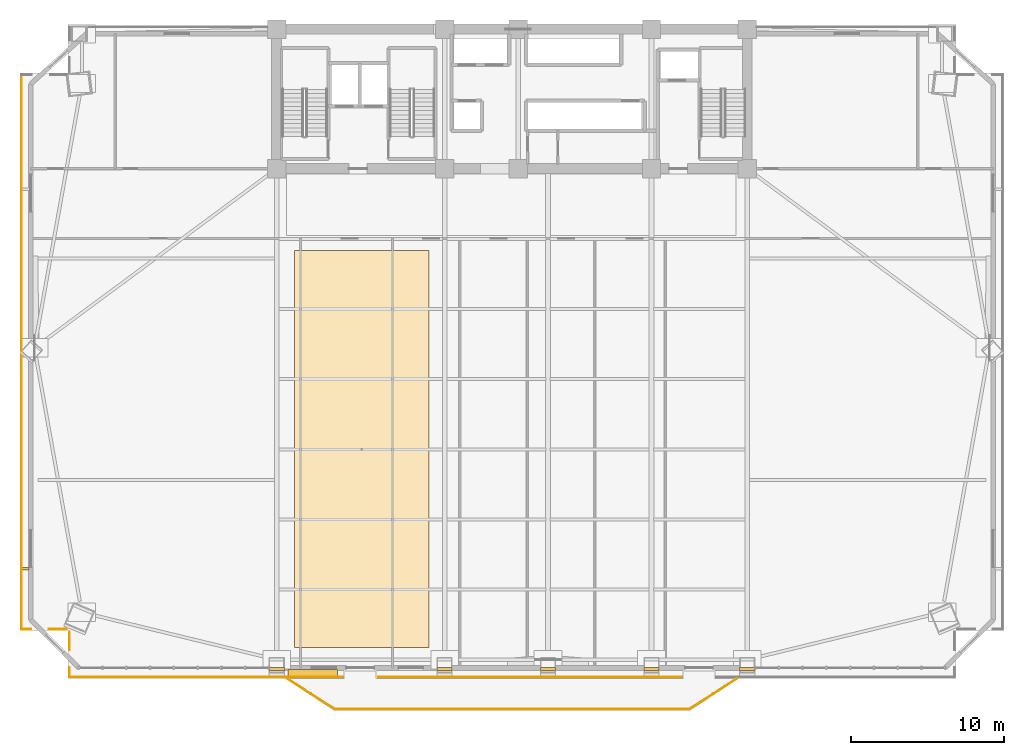
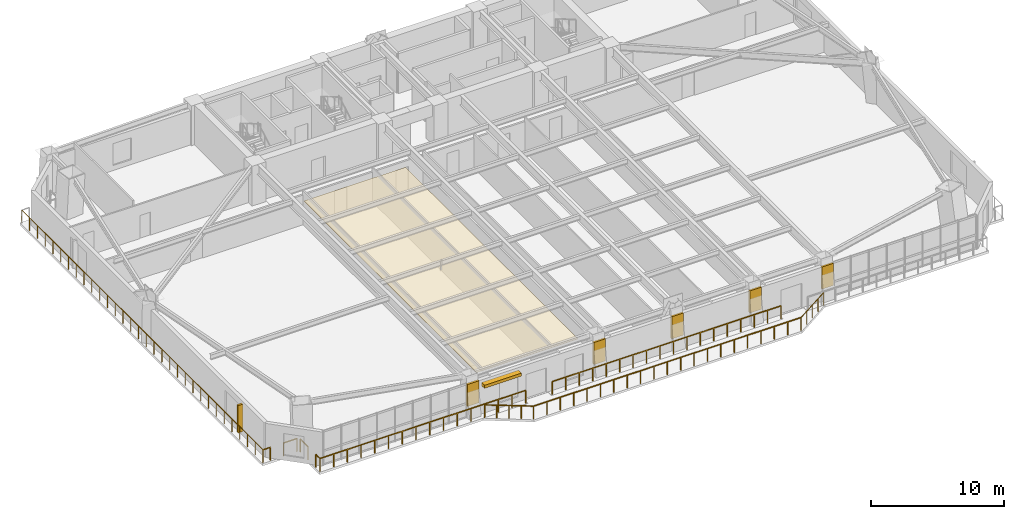
# One storey, part 14 of 18: 10 railings, 6 coverings, 2 shading devices.
"""IFC4 building model written with IfcOpenShell, lengths in metres."""

import ifcopenshell
import ifcopenshell.guid

model = None  # the IFC model being written
_history = None  # IfcOwnerHistory: only IFC2X3 demands one
_inside = {}  # id of a spatial element -> (the spatial element, [elements in it])
_under = {}  # id of a project, library or spatial element -> (it, [spatial elements below it])
_declared = {}  # id of a project -> (the project, [libraries it declares])
_typed = {}  # id of a type object -> (the type object, [elements of that type])
_made_of = {}  # id of a material, layer set ... -> (it, [elements and type objects made of it])


def new_model(schema):
    """Start an empty IFC model of exactly this schema.

    Asked for "IFC4X3", IfcOpenShell would pick the latest addendum, in which some entities
    have other attributes; the version numbers below select the first issue.
    IFC2X3 requires an IfcOwnerHistory on every rooted entity: one is made here for all.
    """
    global model, _history
    if schema == "IFC4X3":
        model = ifcopenshell.file(schema_version=(4, 3, 0, 0))
    else:
        model = ifcopenshell.file(schema=schema)
    _inside.clear()
    _under.clear()
    _declared.clear()
    _typed.clear()
    _made_of.clear()
    _history = None
    if model.schema == "IFC2X3":
        org = make("IfcOrganization", Name="unknown")
        user = make(
            "IfcPersonAndOrganization",
            ThePerson=make("IfcPerson", FamilyName="unknown"),
            TheOrganization=org,
        )
        app = make(
            "IfcApplication",
            ApplicationDeveloper=org,
            Version="unknown",
            ApplicationFullName="unknown",
            ApplicationIdentifier="unknown",
        )
        _history = make(
            "IfcOwnerHistory",
            OwningUser=user,
            OwningApplication=app,
            ChangeAction="ADDED",
            CreationDate=0,
        )
    return model


def make(cls, **values):
    """One entity of the class cls with the attributes given. An attribute that is None is left unset."""
    return model.create_entity(
        cls, **{name: value for name, value in values.items() if value is not None}
    )


def rooted(cls, **values):
    """An entity with a GlobalId (a new one), such as an element, a storey or a relation."""
    return make(cls, GlobalId=ifcopenshell.guid.new(), OwnerHistory=_history, **values)


def si_unit(unit_type, name, prefix=None):
    """IfcSIUnit, for example si_unit("LENGTHUNIT", "METRE", prefix="MILLI")."""
    return make("IfcSIUnit", UnitType=unit_type, Prefix=prefix, Name=name)


def assignment(units):
    """IfcUnitAssignment: the units of a project."""
    return None if units is None else make("IfcUnitAssignment", Units=units)


def point(xyz):
    """IfcCartesianPoint."""
    return None if xyz is None else make("IfcCartesianPoint", Coordinates=xyz)


def direction(xyz):
    """IfcDirection."""
    return None if xyz is None else make("IfcDirection", DirectionRatios=xyz)


def frame(location, z_axis=None, x_axis=None):
    """IfcAxis2Placement3D, a coordinate frame: its origin and axes. An axis left out is left unset."""
    return make(
        "IfcAxis2Placement3D",
        Location=point(location),
        Axis=direction(z_axis),
        RefDirection=direction(x_axis),
    )


def frame_2d(location, x_axis=None):
    """IfcAxis2Placement2D, a coordinate frame in the plane: its origin and x axis."""
    return make(
        "IfcAxis2Placement2D", Location=point(location), RefDirection=direction(x_axis)
    )


def origin():
    """The frame at (0, 0, 0) with its axes left unset."""
    return frame((0.0, 0.0, 0.0))


def origin_2d():
    """The frame at (0, 0) in the plane with its x axis left unset."""
    return frame_2d((0.0, 0.0))


def place(relative_to, where):
    """IfcLocalPlacement: puts the frame where relative to a parent placement (None: the world)."""
    return make(
        "IfcLocalPlacement", PlacementRelTo=relative_to, RelativePlacement=where
    )


def context(
    kind, dimensions, precision=None, world=None, true_north=None, identifier=None
):
    """IfcGeometricRepresentationContext, for example the 3D "Model" context."""
    return make(
        "IfcGeometricRepresentationContext",
        ContextIdentifier=identifier,
        ContextType=kind,
        CoordinateSpaceDimension=dimensions,
        Precision=precision,
        WorldCoordinateSystem=world,
        TrueNorth=true_north,
    )


def subcontext(parent, identifier, kind, view, scale=None):
    """IfcGeometricRepresentationSubContext, for example "Body" below "Model"."""
    return make(
        "IfcGeometricRepresentationSubContext",
        ContextIdentifier=identifier,
        ContextType=kind,
        ParentContext=parent,
        TargetScale=scale,
        TargetView=view,
    )


def project(units=None, contexts=None):
    """IfcProject with its units and contexts."""
    return rooted(
        "IfcProject",
        Name="project",
        RepresentationContexts=contexts,
        UnitsInContext=assignment(units),
    )


def spatial(cls, under=None, at=None, **own):
    """A site, building, storey or space (cls), placed at a placement, below another one or the project."""
    s = rooted(cls, ObjectPlacement=at, **own)
    if under is not None:
        _under.setdefault(under.id(), (under, []))[1].append(s)
    return s


def polyline(points):
    """IfcPolyline through the points."""
    return make("IfcPolyline", Points=[point(p) for p in points])


def profile(cls, at=None, kind="AREA", **sizes):
    """A parametric profile (cls). Its sizes go by their IFC names, for example OverallWidth=200.0."""
    return make(cls, ProfileType=kind, Position=at, **sizes)


def rectangle(**sizes):
    """IfcRectangleProfileDef."""
    return profile("IfcRectangleProfileDef", **sizes)


def outline(outer, holes=None, kind="AREA"):
    """IfcArbitraryClosedProfileDef: a profile drawn as a closed curve; with holes, ...WithVoids."""
    if holes is None:
        return make("IfcArbitraryClosedProfileDef", ProfileType=kind, OuterCurve=outer)
    return make(
        "IfcArbitraryProfileDefWithVoids",
        ProfileType=kind,
        OuterCurve=outer,
        InnerCurves=holes,
    )


def extrude(swept, where, along, depth):
    """IfcExtrudedAreaSolid: the profile swept, set in the frame where, extruded along a direction by depth."""
    return make(
        "IfcExtrudedAreaSolid",
        SweptArea=swept,
        Position=where,
        ExtrudedDirection=direction(along),
        Depth=depth,
    )


def shape(context_of_items, identifier, shape_type, items):
    """IfcShapeRepresentation: the items that make up one representation, for example the "Body"."""
    return make(
        "IfcShapeRepresentation",
        ContextOfItems=context_of_items,
        RepresentationIdentifier=identifier,
        RepresentationType=shape_type,
        Items=items,
    )


def source(mapping_origin, context_of_items, identifier, shape_type, items):
    """IfcRepresentationMap: a shape defined once, which mapped items show again and again."""
    return make(
        "IfcRepresentationMap",
        MappingOrigin=mapping_origin,
        MappedRepresentation=shape(context_of_items, identifier, shape_type, items),
    )


def transform(
    local_origin,
    x_axis=None,
    y_axis=None,
    z_axis=None,
    scale=None,
    scale2=None,
    scale3=None,
    uniform=True,
):
    """IfcCartesianTransformationOperator3D, or its non-uniform kind. x_axis, y_axis, z_axis: its Axis1, 2, 3."""
    if uniform:
        return make(
            "IfcCartesianTransformationOperator3D",
            Axis1=direction(x_axis),
            Axis2=direction(y_axis),
            LocalOrigin=point(local_origin),
            Scale=scale,
            Axis3=direction(z_axis),
        )
    return make(
        "IfcCartesianTransformationOperator3DnonUniform",
        Axis1=direction(x_axis),
        Axis2=direction(y_axis),
        LocalOrigin=point(local_origin),
        Scale=scale,
        Axis3=direction(z_axis),
        Scale2=scale2,
        Scale3=scale3,
    )


def mapped(mapping_source, mapping_target):
    """IfcMappedItem: shows the shape of a source again, moved by a transform."""
    return make(
        "IfcMappedItem", MappingSource=mapping_source, MappingTarget=mapping_target
    )


def material(Name=None, Category=None):
    """IfcMaterial."""
    return make("IfcMaterial", Name=Name, Category=Category)


def layer(
    of_material, thickness, ventilated=None, Name=None, Category=None, Priority=None
):
    """IfcMaterialLayer: one layer of a wall or slab, of a material (None: an air gap)."""
    return make(
        "IfcMaterialLayer",
        Material=of_material,
        LayerThickness=thickness,
        IsVentilated=ventilated,
        Name=Name,
        Category=Category,
        Priority=Priority,
    )


def layer_set(layers, Name=None):
    """IfcMaterialLayerSet."""
    return make("IfcMaterialLayerSet", MaterialLayers=layers, LayerSetName=Name)


def made_of(thing, what):
    """Note that an element or type object is made of a material, layer set ...; save() writes the relation."""
    if what is not None:
        _made_of.setdefault(what.id(), (what, []))[1].append(thing)
    return thing


def type_object(cls, material=None, **own):
    """A type object (cls), such as IfcWallType, which elements share."""
    return made_of(rooted(cls, **own), material)


def element(
    cls,
    number,
    at=None,
    inside=None,
    cuts=None,
    type_object=None,
    material=None,
    context=None,
    identifier="Body",
    shape_type=None,
    held_by="IfcProductDefinitionShape",
    body=None,
    shapes=None,
    **own,
):
    """One element of the class cls, such as IfcWall. Its Tag is "e" and its number.

    at: its placement. inside: the storey or other place that contains it. cuts: it is an
    opening in that element (IfcRelVoidsElement). A single representation is given by context,
    identifier, shape_type and body (its items); several are given by shapes. held_by: the class
    of the entity that holds the representations. save() writes the other relations.
    """
    e = rooted(cls, Tag="e%d" % number, ObjectPlacement=at, **own)
    if body is not None:
        shapes = [shape(context, identifier, shape_type, body)]
    if shapes is not None:
        e.Representation = make(held_by, Representations=shapes)
    if inside is not None:
        _inside.setdefault(inside.id(), (inside, []))[1].append(e)
    if cuts is not None:
        rooted(
            "IfcRelVoidsElement", RelatingBuildingElement=cuts, RelatedOpeningElement=e
        )
    if type_object is not None:
        _typed.setdefault(type_object.id(), (type_object, []))[1].append(e)
    return made_of(e, material)


def aggregate(whole, parts):
    """IfcRelAggregates: a whole, such as a stair, and the parts it consists of."""
    return rooted("IfcRelAggregates", RelatingObject=whole, RelatedObjects=parts)


def save(model, path):
    """Write the relations noted so far, then the file.

    IfcRelAggregates (storeys below a building ...), IfcRelContainedInSpatialStructure (elements
    in a storey), IfcRelDefinesByType, IfcRelAssociatesMaterial and IfcRelDeclares: one each for
    every whole, place, type object, material and project.
    """
    for whole, parts in _under.values():
        aggregate(whole, parts)
    for where, things in _inside.values():
        rooted(
            "IfcRelContainedInSpatialStructure",
            RelatedElements=things,
            RelatingStructure=where,
        )
    for kind, things in _typed.values():
        rooted("IfcRelDefinesByType", RelatedObjects=things, RelatingType=kind)
    for what, things in _made_of.values():
        rooted("IfcRelAssociatesMaterial", RelatedObjects=things, RelatingMaterial=what)
    for by, libraries in _declared.values():
        rooted("IfcRelDeclares", RelatingContext=by, RelatedDefinitions=libraries)
    model.write(path)


model = new_model("IFC4")

# Units and contexts
model_context = context("Model", 3, precision=1e-05, world=origin(), true_north=direction((0.0, 1.0)))
body_context = subcontext(model_context, "Body", "Model", "MODEL_VIEW")
ifc_project = project(units=[si_unit("LENGTHUNIT", "METRE"), si_unit("AREAUNIT", "SQUARE_METRE"), si_unit("VOLUMEUNIT", "CUBIC_METRE"), si_unit("PLANEANGLEUNIT", "RADIAN"), si_unit("MASSUNIT", "GRAM", prefix="KILO")], contexts=[model_context])

# Site, building, storey
site_placement = place(None, origin())
site = spatial("IfcSite", under=ifc_project, at=site_placement, CompositionType="ELEMENT")
building_placement = place(site_placement, origin())
building = spatial("IfcBuilding", under=site, at=building_placement, Name="Giltprow Tower", CompositionType="ELEMENT")
storey_placement = place(building_placement, frame((0.0, 0.0, 68.89990234375)))
storey = spatial("IfcBuildingStorey", under=building, at=storey_placement, Name="L17", CompositionType="ELEMENT", Elevation=68.89990234375)

# Coverings
ifc_material_1 = material(Name="Acoustic mineral fibre", Category="gypsum")
ifc_layer_1 = layer(ifc_material_1, 0.030029296875, Name="Acoustic mineral fibre")
ifc_layer_set_1 = layer_set([ifc_layer_1], Name="Acoustic mineral fibre")
covering_type_1 = type_object("IfcCoveringType", Name="COV-CLG-ACOUSTIC", PredefinedType="CEILING", material=ifc_layer_set_1)
covering_1_placement = place(storey_placement, frame((0.0, 0.0, 2.72021484375)))
element("IfcCovering", 1, at=covering_1_placement, inside=storey, type_object=covering_type_1, Name="L17 Office Acoustic Ceiling", PredefinedType="CEILING", context=body_context, shape_type="SweptSolid", body=[
    extrude(outline(polyline([(21.0, 6.208984375), (29.800048828125, 6.208984375), (29.800048828125, 32.10009765625), (21.0, 32.10009765625), (21.0, 6.208984375)])), origin(), (0.0, 0.0, 1.0), 0.02978515625),
])
ifc_material_2 = material(Name="Anodized bronze", Category="metal")
ifc_layer_2 = layer(ifc_material_2, 0.0400390625, Name="Anodized bronze")
ifc_layer_set_2 = layer_set([ifc_layer_2], Name="Anodized bronze")
covering_type_2 = type_object("IfcCoveringType", Name="COV-SOFFIT-BRONZE", PredefinedType="CLADDING", material=ifc_layer_set_2)
covering_2_placement = place(storey_placement, frame((0.0, 0.0, 1.10009765625)))
element("IfcCovering", 2, at=covering_2_placement, inside=storey, type_object=covering_type_2, Name="L17 Setback Pier Closure Cladding S-1", PredefinedType="CLADDING", context=body_context, shape_type="SweptSolid", body=[
    extrude(outline(polyline([(19.35009765625, 4.721923828125), (20.35009765625, 4.721923828125), (20.35009765625, 4.902099609375), (19.35009765625, 4.902099609375), (19.35009765625, 4.721923828125)])), origin(), (0.0, 0.0, 1.0), 2.02001953125),
])
covering_3_placement = place(storey_placement, frame((0.0, 0.0, 1.10009765625)))
element("IfcCovering", 3, at=covering_3_placement, inside=storey, type_object=covering_type_2, Name="L17 Setback Pier Closure Cladding S-2", PredefinedType="CLADDING", context=body_context, shape_type="SweptSolid", body=[
    extrude(outline(polyline([(30.300048828125, 4.721923828125), (31.300048828125, 4.721923828125), (31.300048828125, 4.902099609375), (30.300048828125, 4.902099609375), (30.300048828125, 4.721923828125)])), origin(), (0.0, 0.0, 1.0), 2.02001953125),
])
covering_4_placement = place(storey_placement, frame((0.0, 0.0, 1.10009765625)))
element("IfcCovering", 4, at=covering_4_placement, inside=storey, type_object=covering_type_2, Name="L17 Setback Pier Closure Cladding S-3", PredefinedType="CLADDING", context=body_context, shape_type="SweptSolid", body=[
    extrude(outline(polyline([(37.050048828125, 4.721923828125), (38.050048828125, 4.721923828125), (38.050048828125, 4.902099609375), (37.050048828125, 4.902099609375), (37.050048828125, 4.721923828125)])), origin(), (0.0, 0.0, 1.0), 2.02001953125),
])
covering_5_placement = place(storey_placement, frame((0.0, 0.0, 1.10009765625)))
element("IfcCovering", 5, at=covering_5_placement, inside=storey, type_object=covering_type_2, Name="L17 Setback Pier Closure Cladding S-4", PredefinedType="CLADDING", context=body_context, shape_type="SweptSolid", body=[
    extrude(outline(polyline([(43.800048828125, 4.721923828125), (44.800048828125, 4.721923828125), (44.800048828125, 4.902099609375), (43.800048828125, 4.902099609375), (43.800048828125, 4.721923828125)])), origin(), (0.0, 0.0, 1.0), 2.02001953125),
])
covering_6_placement = place(storey_placement, frame((0.0, 0.0, 1.10009765625)))
element("IfcCovering", 6, at=covering_6_placement, inside=storey, type_object=covering_type_2, Name="L17 Setback Pier Closure Cladding S-5", PredefinedType="CLADDING", context=body_context, shape_type="SweptSolid", body=[
    extrude(outline(polyline([(50.050048828125, 4.721923828125), (51.050048828125, 4.721923828125), (51.050048828125, 4.902099609375), (50.050048828125, 4.902099609375), (50.050048828125, 4.721923828125)])), origin(), (0.0, 0.0, 1.0), 2.02001953125),
])

# Railings
railing_type = type_object("IfcRailingType", Name="RAIL-BALC-GUARD-1200", PredefinedType="BALUSTRADE", material=ifc_material_2)
railing_1_placement = place(storey_placement, frame((20.52001953125, 4.181884765625, 0.0)))
element("IfcRailing", 7, at=railing_1_placement, inside=storey, type_object=railing_type, Name="L17 Waterfront Balcony Balustrade Seg 1", PredefinedType="BALUSTRADE", context=body_context, shape_type="SweptSolid", body=[
    extrude(rectangle(XDim=0.048095703125, YDim=0.048095703125, at=origin_2d()), frame((0.0, 0.0, 1.17578125), z_axis=(0.84277487735, -0.538266203757, 0.0), x_axis=(0.538266203757, 0.84277487735, 0.0)), (0.0, 0.0, 1.0), 3.678466796875),
    extrude(rectangle(XDim=0.0419921875, YDim=0.0419921875, at=origin_2d()), origin(), (0.0, 0.0, 1.0), 1.15185546875),
    extrude(rectangle(XDim=0.0419921875, YDim=0.0419921875, at=origin_2d()), frame((0.77490234375, -0.4951171875, 0.0)), (0.0, 0.0, 1.0), 1.15185546875),
    extrude(rectangle(XDim=0.0419921875, YDim=0.0419921875, at=origin_2d()), frame((1.550048828125, -0.989990234375, 0.0)), (0.0, 0.0, 1.0), 1.15185546875),
    extrude(rectangle(XDim=0.0419921875, YDim=0.0419921875, at=origin_2d()), frame((2.3251953125, -1.48486328125, 0.0)), (0.0, 0.0, 1.0), 1.15185546875),
    extrude(rectangle(XDim=0.0419921875, YDim=0.0419921875, at=origin_2d()), frame((3.10009765625, -1.97998046875, 0.0)), (0.0, 0.0, 1.0), 1.15185546875),
])
railing_2_placement = place(storey_placement, frame((23.6201171875, 2.201904296875, 0.0)))
element("IfcRailing", 8, at=railing_2_placement, inside=storey, type_object=railing_type, Name="L17 Waterfront Balcony Balustrade Seg 2", PredefinedType="BALUSTRADE", context=body_context, shape_type="SweptSolid", body=[
    extrude(rectangle(XDim=0.048095703125, YDim=0.048095703125, at=origin_2d()), frame((0.0, 0.0, 1.17578125), z_axis=(1.0, 0.0, 0.0), x_axis=(0.0, 1.0, 0.0)), (0.0, 0.0, 1.0), 23.159912109375),
    extrude(rectangle(XDim=0.0419921875, YDim=0.0419921875, at=origin_2d()), origin(), (0.0, 0.0, 1.0), 1.15185546875),
    extrude(rectangle(XDim=0.0419921875, YDim=0.0419921875, at=origin_2d()), frame((1.157958984375, 0.0, 0.0)), (0.0, 0.0, 1.0), 1.15185546875),
    extrude(rectangle(XDim=0.0419921875, YDim=0.0419921875, at=origin_2d()), frame((2.31591796875, 0.0, 0.0)), (0.0, 0.0, 1.0), 1.15185546875),
    extrude(rectangle(XDim=0.0419921875, YDim=0.0419921875, at=origin_2d()), frame((3.473876953125, 0.0, 0.0)), (0.0, 0.0, 1.0), 1.15185546875),
    extrude(rectangle(XDim=0.0419921875, YDim=0.0419921875, at=origin_2d()), frame((4.632080078125, 0.0, 0.0)), (0.0, 0.0, 1.0), 1.15185546875),
    extrude(rectangle(XDim=0.0419921875, YDim=0.0419921875, at=origin_2d()), frame((5.7900390625, 0.0, 0.0)), (0.0, 0.0, 1.0), 1.15185546875),
    extrude(rectangle(XDim=0.0419921875, YDim=0.0419921875, at=origin_2d()), frame((6.947998046875, 0.0, 0.0)), (0.0, 0.0, 1.0), 1.15185546875),
    extrude(rectangle(XDim=0.0419921875, YDim=0.0419921875, at=origin_2d()), frame((8.10595703125, 0.0, 0.0)), (0.0, 0.0, 1.0), 1.15185546875),
    extrude(rectangle(XDim=0.0419921875, YDim=0.0419921875, at=origin_2d()), frame((9.263916015625, 0.0, 0.0)), (0.0, 0.0, 1.0), 1.15185546875),
    extrude(rectangle(XDim=0.0419921875, YDim=0.0419921875, at=origin_2d()), frame((10.421875, 0.0, 0.0)), (0.0, 0.0, 1.0), 1.15185546875),
    extrude(rectangle(XDim=0.0419921875, YDim=0.0419921875, at=origin_2d()), frame((11.580078125, 0.0, 0.0)), (0.0, 0.0, 1.0), 1.15185546875),
    extrude(rectangle(XDim=0.0419921875, YDim=0.0419921875, at=origin_2d()), frame((12.738037109375, 0.0, 0.0)), (0.0, 0.0, 1.0), 1.15185546875),
    extrude(rectangle(XDim=0.0419921875, YDim=0.0419921875, at=origin_2d()), frame((13.89599609375, 0.0, 0.0)), (0.0, 0.0, 1.0), 1.15185546875),
    extrude(rectangle(XDim=0.0419921875, YDim=0.0419921875, at=origin_2d()), frame((15.053955078125, 0.0, 0.0)), (0.0, 0.0, 1.0), 1.15185546875),
    extrude(rectangle(XDim=0.0419921875, YDim=0.0419921875, at=origin_2d()), frame((16.2119140625, 0.0, 0.0)), (0.0, 0.0, 1.0), 1.15185546875),
    extrude(rectangle(XDim=0.0419921875, YDim=0.0419921875, at=origin_2d()), frame((17.369873046875, 0.0, 0.0)), (0.0, 0.0, 1.0), 1.15185546875),
    extrude(rectangle(XDim=0.0419921875, YDim=0.0419921875, at=origin_2d()), frame((18.52783203125, 0.0, 0.0)), (0.0, 0.0, 1.0), 1.15185546875),
    extrude(rectangle(XDim=0.0419921875, YDim=0.0419921875, at=origin_2d()), frame((19.68603515625, 0.0, 0.0)), (0.0, 0.0, 1.0), 1.15185546875),
    extrude(rectangle(XDim=0.0419921875, YDim=0.0419921875, at=origin_2d()), frame((20.843994140625, 0.0, 0.0)), (0.0, 0.0, 1.0), 1.15185546875),
    extrude(rectangle(XDim=0.0419921875, YDim=0.0419921875, at=origin_2d()), frame((22.001953125, 0.0, 0.0)), (0.0, 0.0, 1.0), 1.15185546875),
    extrude(rectangle(XDim=0.0419921875, YDim=0.0419921875, at=origin_2d()), frame((23.159912109375, 0.0, 0.0)), (0.0, 0.0, 1.0), 1.15185546875),
])
railing_3_placement = place(storey_placement, frame((46.780029296875, 2.201904296875, 0.0)))
element("IfcRailing", 9, at=railing_3_placement, inside=storey, type_object=railing_type, Name="L17 Waterfront Balcony Balustrade Seg 3", PredefinedType="BALUSTRADE", context=body_context, shape_type="SweptSolid", body=[
    extrude(rectangle(XDim=0.048095703125, YDim=0.048095703125, at=origin_2d()), frame((0.0, 0.0, 1.17578125), z_axis=(0.842755646126, 0.538296313309, 0.0), x_axis=(-0.538296313309, 0.842755646126, 0.0)), (0.0, 0.0, 1.0), 3.67822265625),
    extrude(rectangle(XDim=0.0419921875, YDim=0.0419921875, at=origin_2d()), origin(), (0.0, 0.0, 1.0), 1.15185546875),
    extrude(rectangle(XDim=0.0419921875, YDim=0.0419921875, at=origin_2d()), frame((0.77490234375, 0.4951171875, 0.0)), (0.0, 0.0, 1.0), 1.15185546875),
    extrude(rectangle(XDim=0.0419921875, YDim=0.0419921875, at=origin_2d()), frame((1.5498046875, 0.989990234375, 0.0)), (0.0, 0.0, 1.0), 1.15185546875),
    extrude(rectangle(XDim=0.0419921875, YDim=0.0419921875, at=origin_2d()), frame((2.324951171875, 1.48486328125, 0.0)), (0.0, 0.0, 1.0), 1.15185546875),
    extrude(rectangle(XDim=0.0419921875, YDim=0.0419921875, at=origin_2d()), frame((3.099853515625, 1.97998046875, 0.0)), (0.0, 0.0, 1.0), 1.15185546875),
])
railing_4_placement = place(storey_placement, frame((6.326904296875, 4.281982421875, 0.0)))
element("IfcRailing", 10, at=railing_4_placement, inside=storey, type_object=railing_type, Name="L17 Corner Apron Edge Balustrade 1", PredefinedType="BALUSTRADE", context=body_context, shape_type="SweptSolid", body=[
    extrude(rectangle(XDim=0.048095703125, YDim=0.048095703125, at=origin_2d()), frame((0.0, 0.0, 1.17578125), z_axis=(0.0, 1.0, 0.0), x_axis=(-1.0, 0.0, 0.0)), (0.0, 0.0, 1.0), 0.6201171875),
    extrude(rectangle(XDim=0.0419921875, YDim=0.0419921875, at=origin_2d()), origin(), (0.0, 0.0, 1.0), 1.15185546875),
    extrude(rectangle(XDim=0.0419921875, YDim=0.0419921875, at=origin_2d()), frame((0.0, 0.6201171875, 0.0)), (0.0, 0.0, 1.0), 1.15185546875),
])
railing_5_placement = place(storey_placement, frame((6.326904296875, 6.06201171875, 0.0)))
element("IfcRailing", 11, at=railing_5_placement, inside=storey, type_object=railing_type, Name="L17 Corner Apron Edge Balustrade 2", PredefinedType="BALUSTRADE", context=body_context, shape_type="SweptSolid", body=[
    extrude(rectangle(XDim=0.048095703125, YDim=0.048095703125, at=origin_2d()), frame((0.0, 0.0, 1.17578125), z_axis=(0.0, 1.0, 0.0), x_axis=(-1.0, 0.0, 0.0)), (0.0, 0.0, 1.0), 1.156982421875),
    extrude(rectangle(XDim=0.0419921875, YDim=0.0419921875, at=origin_2d()), origin(), (0.0, 0.0, 1.0), 1.15185546875),
    extrude(rectangle(XDim=0.0419921875, YDim=0.0419921875, at=origin_2d()), frame((0.0, 1.156982421875, 0.0)), (0.0, 0.0, 1.0), 1.15185546875),
])
railing_6_placement = place(storey_placement, frame((6.14208984375, 7.404052734375, 0.0)))
element("IfcRailing", 12, at=railing_6_placement, inside=storey, type_object=railing_type, Name="L17 Corner Apron Edge Balustrade 3", PredefinedType="BALUSTRADE", context=body_context, shape_type="SweptSolid", body=[
    extrude(rectangle(XDim=0.048095703125, YDim=0.048095703125, at=origin_2d()), frame((0.0, 0.0, 1.17578125), z_axis=(-1.0, 0.0, 0.0), x_axis=(0.0, -1.0, 0.0)), (0.0, 0.0, 1.0), 1.156982421875),
    extrude(rectangle(XDim=0.0419921875, YDim=0.0419921875, at=origin_2d()), origin(), (0.0, 0.0, 1.0), 1.15185546875),
    extrude(rectangle(XDim=0.0419921875, YDim=0.0419921875, at=origin_2d()), frame((-1.156982421875, 0.0, 0.0)), (0.0, 0.0, 1.0), 1.15185546875),
])
railing_7_placement = place(storey_placement, frame((3.824951171875, 7.404052734375, 0.0)))
element("IfcRailing", 13, at=railing_7_placement, inside=storey, type_object=railing_type, Name="L17 Corner Apron Edge Balustrade 4", PredefinedType="BALUSTRADE", context=body_context, shape_type="SweptSolid", body=[
    extrude(rectangle(XDim=0.048095703125, YDim=0.048095703125, at=origin_2d()), frame((0.0, 0.0, 1.17578125), z_axis=(-1.0, 0.0, 0.0), x_axis=(0.0, -1.0, 0.0)), (0.0, 0.0, 1.0), 0.619873046875),
    extrude(rectangle(XDim=0.0419921875, YDim=0.0419921875, at=origin_2d()), origin(), (0.0, 0.0, 1.0), 1.15185546875),
    extrude(rectangle(XDim=0.0419921875, YDim=0.0419921875, at=origin_2d()), frame((-0.619873046875, 0.0, 0.0)), (0.0, 0.0, 1.0), 1.15185546875),
])
railing_8_placement = place(storey_placement, frame((3.205078125, 7.404052734375, 0.0)))
element("IfcRailing", 14, at=railing_8_placement, inside=storey, type_object=railing_type, Name="L17 Corner Apron Edge Balustrade 5", PredefinedType="BALUSTRADE", context=body_context, shape_type="SweptSolid", body=[
    extrude(rectangle(XDim=0.048095703125, YDim=0.048095703125, at=origin_2d()), frame((0.0, 0.0, 1.17578125), z_axis=(0.0, 1.0, 0.0), x_axis=(-1.0, 0.0, 0.0)), (0.0, 0.0, 1.0), 36.173828125),
    extrude(rectangle(XDim=0.0419921875, YDim=0.0419921875, at=origin_2d()), origin(), (0.0, 0.0, 1.0), 1.15185546875),
    extrude(rectangle(XDim=0.0419921875, YDim=0.0419921875, at=origin_2d()), frame((0.0, 1.1669921875, 0.0)), (0.0, 0.0, 1.0), 1.15185546875),
    extrude(rectangle(XDim=0.0419921875, YDim=0.0419921875, at=origin_2d()), frame((0.0, 2.333740234375, 0.0)), (0.0, 0.0, 1.0), 1.15185546875),
    extrude(rectangle(XDim=0.0419921875, YDim=0.0419921875, at=origin_2d()), frame((0.0, 3.500732421875, 0.0)), (0.0, 0.0, 1.0), 1.15185546875),
    extrude(rectangle(XDim=0.0419921875, YDim=0.0419921875, at=origin_2d()), frame((0.0, 4.66748046875, 0.0)), (0.0, 0.0, 1.0), 1.15185546875),
    extrude(rectangle(XDim=0.0419921875, YDim=0.0419921875, at=origin_2d()), frame((0.0, 5.83447265625, 0.0)), (0.0, 0.0, 1.0), 1.15185546875),
    extrude(rectangle(XDim=0.0419921875, YDim=0.0419921875, at=origin_2d()), frame((0.0, 7.00146484375, 0.0)), (0.0, 0.0, 1.0), 1.15185546875),
    extrude(rectangle(XDim=0.0419921875, YDim=0.0419921875, at=origin_2d()), frame((0.0, 8.168212890625, 0.0)), (0.0, 0.0, 1.0), 1.15185546875),
    extrude(rectangle(XDim=0.0419921875, YDim=0.0419921875, at=origin_2d()), frame((0.0, 9.335205078125, 0.0)), (0.0, 0.0, 1.0), 1.15185546875),
    extrude(rectangle(XDim=0.0419921875, YDim=0.0419921875, at=origin_2d()), frame((0.0, 10.502197265625, 0.0)), (0.0, 0.0, 1.0), 1.15185546875),
    extrude(rectangle(XDim=0.0419921875, YDim=0.0419921875, at=origin_2d()), frame((0.0, 11.6689453125, 0.0)), (0.0, 0.0, 1.0), 1.15185546875),
    extrude(rectangle(XDim=0.0419921875, YDim=0.0419921875, at=origin_2d()), frame((0.0, 12.8359375, 0.0)), (0.0, 0.0, 1.0), 1.15185546875),
    extrude(rectangle(XDim=0.0419921875, YDim=0.0419921875, at=origin_2d()), frame((0.0, 14.002685546875, 0.0)), (0.0, 0.0, 1.0), 1.15185546875),
    extrude(rectangle(XDim=0.0419921875, YDim=0.0419921875, at=origin_2d()), frame((0.0, 15.169677734375, 0.0)), (0.0, 0.0, 1.0), 1.15185546875),
    extrude(rectangle(XDim=0.0419921875, YDim=0.0419921875, at=origin_2d()), frame((0.0, 16.336669921875, 0.0)), (0.0, 0.0, 1.0), 1.15185546875),
    extrude(rectangle(XDim=0.0419921875, YDim=0.0419921875, at=origin_2d()), frame((0.0, 17.50341796875, 0.0)), (0.0, 0.0, 1.0), 1.15185546875),
    extrude(rectangle(XDim=0.0419921875, YDim=0.0419921875, at=origin_2d()), frame((0.0, 18.67041015625, 0.0)), (0.0, 0.0, 1.0), 1.15185546875),
    extrude(rectangle(XDim=0.0419921875, YDim=0.0419921875, at=origin_2d()), frame((0.0, 19.837158203125, 0.0)), (0.0, 0.0, 1.0), 1.15185546875),
    extrude(rectangle(XDim=0.0419921875, YDim=0.0419921875, at=origin_2d()), frame((0.0, 21.004150390625, 0.0)), (0.0, 0.0, 1.0), 1.15185546875),
    extrude(rectangle(XDim=0.0419921875, YDim=0.0419921875, at=origin_2d()), frame((0.0, 22.171142578125, 0.0)), (0.0, 0.0, 1.0), 1.15185546875),
    extrude(rectangle(XDim=0.0419921875, YDim=0.0419921875, at=origin_2d()), frame((0.0, 23.337890625, 0.0)), (0.0, 0.0, 1.0), 1.15185546875),
    extrude(rectangle(XDim=0.0419921875, YDim=0.0419921875, at=origin_2d()), frame((0.0, 24.5048828125, 0.0)), (0.0, 0.0, 1.0), 1.15185546875),
    extrude(rectangle(XDim=0.0419921875, YDim=0.0419921875, at=origin_2d()), frame((0.0, 25.671630859375, 0.0)), (0.0, 0.0, 1.0), 1.15185546875),
    extrude(rectangle(XDim=0.0419921875, YDim=0.0419921875, at=origin_2d()), frame((0.0, 26.838623046875, 0.0)), (0.0, 0.0, 1.0), 1.15185546875),
    extrude(rectangle(XDim=0.0419921875, YDim=0.0419921875, at=origin_2d()), frame((0.0, 28.005615234375, 0.0)), (0.0, 0.0, 1.0), 1.15185546875),
    extrude(rectangle(XDim=0.0419921875, YDim=0.0419921875, at=origin_2d()), frame((0.0, 29.17236328125, 0.0)), (0.0, 0.0, 1.0), 1.15185546875),
    extrude(rectangle(XDim=0.0419921875, YDim=0.0419921875, at=origin_2d()), frame((0.0, 30.33935546875, 0.0)), (0.0, 0.0, 1.0), 1.15185546875),
    extrude(rectangle(XDim=0.0419921875, YDim=0.0419921875, at=origin_2d()), frame((0.0, 31.50634765625, 0.0)), (0.0, 0.0, 1.0), 1.15185546875),
    extrude(rectangle(XDim=0.0419921875, YDim=0.0419921875, at=origin_2d()), frame((0.0, 32.673095703125, 0.0)), (0.0, 0.0, 1.0), 1.15185546875),
    extrude(rectangle(XDim=0.0419921875, YDim=0.0419921875, at=origin_2d()), frame((0.0, 33.840087890625, 0.0)), (0.0, 0.0, 1.0), 1.15185546875),
    extrude(rectangle(XDim=0.0419921875, YDim=0.0419921875, at=origin_2d()), frame((0.0, 35.0068359375, 0.0)), (0.0, 0.0, 1.0), 1.15185546875),
    extrude(rectangle(XDim=0.0419921875, YDim=0.0419921875, at=origin_2d()), frame((0.0, 36.173828125, 0.0)), (0.0, 0.0, 1.0), 1.15185546875),
])
railing_9_placement = place(storey_placement, frame((46.25, 4.281982421875, 0.0)))
element("IfcRailing", 15, at=railing_9_placement, inside=storey, type_object=railing_type, Name="L17 Corner Apron Edge Balustrade 22", PredefinedType="BALUSTRADE", context=body_context, shape_type="SweptSolid", body=[
    extrude(rectangle(XDim=0.048095703125, YDim=0.048095703125, at=origin_2d()), frame((0.0, 0.0, 1.17578125), z_axis=(-1.0, 0.0, 0.0), x_axis=(0.0, -1.0, 0.0)), (0.0, 0.0, 1.0), 19.800048828125),
    extrude(rectangle(XDim=0.0419921875, YDim=0.0419921875, at=origin_2d()), origin(), (0.0, 0.0, 1.0), 1.15185546875),
    extrude(rectangle(XDim=0.0419921875, YDim=0.0419921875, at=origin_2d()), frame((-1.164794921875, 0.0, 0.0)), (0.0, 0.0, 1.0), 1.15185546875),
    extrude(rectangle(XDim=0.0419921875, YDim=0.0419921875, at=origin_2d()), frame((-2.329345703125, 0.0, 0.0)), (0.0, 0.0, 1.0), 1.15185546875),
    extrude(rectangle(XDim=0.0419921875, YDim=0.0419921875, at=origin_2d()), frame((-3.494140625, 0.0, 0.0)), (0.0, 0.0, 1.0), 1.15185546875),
    extrude(rectangle(XDim=0.0419921875, YDim=0.0419921875, at=origin_2d()), frame((-4.658935546875, 0.0, 0.0)), (0.0, 0.0, 1.0), 1.15185546875),
    extrude(rectangle(XDim=0.0419921875, YDim=0.0419921875, at=origin_2d()), frame((-5.823486328125, 0.0, 0.0)), (0.0, 0.0, 1.0), 1.15185546875),
    extrude(rectangle(XDim=0.0419921875, YDim=0.0419921875, at=origin_2d()), frame((-6.98828125, 0.0, 0.0)), (0.0, 0.0, 1.0), 1.15185546875),
    extrude(rectangle(XDim=0.0419921875, YDim=0.0419921875, at=origin_2d()), frame((-8.153076171875, 0.0, 0.0)), (0.0, 0.0, 1.0), 1.15185546875),
    extrude(rectangle(XDim=0.0419921875, YDim=0.0419921875, at=origin_2d()), frame((-9.317626953125, 0.0, 0.0)), (0.0, 0.0, 1.0), 1.15185546875),
    extrude(rectangle(XDim=0.0419921875, YDim=0.0419921875, at=origin_2d()), frame((-10.482421875, 0.0, 0.0)), (0.0, 0.0, 1.0), 1.15185546875),
    extrude(rectangle(XDim=0.0419921875, YDim=0.0419921875, at=origin_2d()), frame((-11.64697265625, 0.0, 0.0)), (0.0, 0.0, 1.0), 1.15185546875),
    extrude(rectangle(XDim=0.0419921875, YDim=0.0419921875, at=origin_2d()), frame((-12.811767578125, 0.0, 0.0)), (0.0, 0.0, 1.0), 1.15185546875),
    extrude(rectangle(XDim=0.0419921875, YDim=0.0419921875, at=origin_2d()), frame((-13.9765625, 0.0, 0.0)), (0.0, 0.0, 1.0), 1.15185546875),
    extrude(rectangle(XDim=0.0419921875, YDim=0.0419921875, at=origin_2d()), frame((-15.14111328125, 0.0, 0.0)), (0.0, 0.0, 1.0), 1.15185546875),
    extrude(rectangle(XDim=0.0419921875, YDim=0.0419921875, at=origin_2d()), frame((-16.305908203125, 0.0, 0.0)), (0.0, 0.0, 1.0), 1.15185546875),
    extrude(rectangle(XDim=0.0419921875, YDim=0.0419921875, at=origin_2d()), frame((-17.470703125, 0.0, 0.0)), (0.0, 0.0, 1.0), 1.15185546875),
    extrude(rectangle(XDim=0.0419921875, YDim=0.0419921875, at=origin_2d()), frame((-18.63525390625, 0.0, 0.0)), (0.0, 0.0, 1.0), 1.15185546875),
    extrude(rectangle(XDim=0.0419921875, YDim=0.0419921875, at=origin_2d()), frame((-19.800048828125, 0.0, 0.0)), (0.0, 0.0, 1.0), 1.15185546875),
])
railing_10_placement = place(storey_placement, frame((24.14990234375, 4.281982421875, 0.0)))
element("IfcRailing", 16, at=railing_10_placement, inside=storey, type_object=railing_type, Name="L17 Corner Apron Edge Balustrade 23", PredefinedType="BALUSTRADE", context=body_context, shape_type="SweptSolid", body=[
    extrude(rectangle(XDim=0.048095703125, YDim=0.048095703125, at=origin_2d()), frame((0.0, 0.0, 1.17578125), z_axis=(-1.0, 0.0, 0.0), x_axis=(0.0, -1.0, 0.0)), (0.0, 0.0, 1.0), 17.822998046875),
    extrude(rectangle(XDim=0.0419921875, YDim=0.0419921875, at=origin_2d()), origin(), (0.0, 0.0, 1.0), 1.15185546875),
    extrude(rectangle(XDim=0.0419921875, YDim=0.0419921875, at=origin_2d()), frame((-1.188232421875, 0.0, 0.0)), (0.0, 0.0, 1.0), 1.15185546875),
    extrude(rectangle(XDim=0.0419921875, YDim=0.0419921875, at=origin_2d()), frame((-2.37646484375, 0.0, 0.0)), (0.0, 0.0, 1.0), 1.15185546875),
    extrude(rectangle(XDim=0.0419921875, YDim=0.0419921875, at=origin_2d()), frame((-3.564697265625, 0.0, 0.0)), (0.0, 0.0, 1.0), 1.15185546875),
    extrude(rectangle(XDim=0.0419921875, YDim=0.0419921875, at=origin_2d()), frame((-4.752685546875, 0.0, 0.0)), (0.0, 0.0, 1.0), 1.15185546875),
    extrude(rectangle(XDim=0.0419921875, YDim=0.0419921875, at=origin_2d()), frame((-5.94091796875, 0.0, 0.0)), (0.0, 0.0, 1.0), 1.15185546875),
    extrude(rectangle(XDim=0.0419921875, YDim=0.0419921875, at=origin_2d()), frame((-7.129150390625, 0.0, 0.0)), (0.0, 0.0, 1.0), 1.15185546875),
    extrude(rectangle(XDim=0.0419921875, YDim=0.0419921875, at=origin_2d()), frame((-8.3173828125, 0.0, 0.0)), (0.0, 0.0, 1.0), 1.15185546875),
    extrude(rectangle(XDim=0.0419921875, YDim=0.0419921875, at=origin_2d()), frame((-9.505615234375, 0.0, 0.0)), (0.0, 0.0, 1.0), 1.15185546875),
    extrude(rectangle(XDim=0.0419921875, YDim=0.0419921875, at=origin_2d()), frame((-10.69384765625, 0.0, 0.0)), (0.0, 0.0, 1.0), 1.15185546875),
    extrude(rectangle(XDim=0.0419921875, YDim=0.0419921875, at=origin_2d()), frame((-11.882080078125, 0.0, 0.0)), (0.0, 0.0, 1.0), 1.15185546875),
    extrude(rectangle(XDim=0.0419921875, YDim=0.0419921875, at=origin_2d()), frame((-13.0703125, 0.0, 0.0)), (0.0, 0.0, 1.0), 1.15185546875),
    extrude(rectangle(XDim=0.0419921875, YDim=0.0419921875, at=origin_2d()), frame((-14.25830078125, 0.0, 0.0)), (0.0, 0.0, 1.0), 1.15185546875),
    extrude(rectangle(XDim=0.0419921875, YDim=0.0419921875, at=origin_2d()), frame((-15.446533203125, 0.0, 0.0)), (0.0, 0.0, 1.0), 1.15185546875),
    extrude(rectangle(XDim=0.0419921875, YDim=0.0419921875, at=origin_2d()), frame((-16.634765625, 0.0, 0.0)), (0.0, 0.0, 1.0), 1.15185546875),
    extrude(rectangle(XDim=0.0419921875, YDim=0.0419921875, at=origin_2d()), frame((-17.822998046875, 0.0, 0.0)), (0.0, 0.0, 1.0), 1.15185546875),
])

# Shading devices
shading_device_type_1 = type_object("IfcShadingDeviceType", Name="SHD-FIN-420", PredefinedType="USERDEFINED", material=ifc_material_2)
shared_shape_1 = source(origin(), body_context, "Body", "SweptSolid", [
    extrude(rectangle(XDim=0.419921875, YDim=0.159912109375, at=origin_2d()), origin(), (0.0, 0.0, 1.0), 2.5),
])
shading_device_1_placement = place(storey_placement, frame((3.485107421875, 11.341064453125, 0.35009765625), z_axis=(0.0, 0.0, 1.0), x_axis=(1.0, 0.0, 0.0)))
element("IfcShadingDevice", 17, at=shading_device_1_placement, inside=storey, type_object=shading_device_type_1, Name="L17 W Bronze Vertical Fin 1-1", ObjectType="FIN", PredefinedType="USERDEFINED", context=body_context, shape_type="MappedRepresentation", body=[
    mapped(shared_shape_1, transform((0.0, 0.0, 0.0), x_axis=(1.0, 0.0, 0.0), y_axis=(0.0, 1.0, 0.0), z_axis=(0.0, 0.0, 1.0), scale=1.0)),
])
shading_device_type_2 = type_object("IfcShadingDeviceType", Name="SHD-LOUVRE-320", PredefinedType="JALOUSIE", material=ifc_material_2)
shared_shape_2 = source(origin(), body_context, "Body", "SweptSolid", [
    extrude(rectangle(XDim=3.199951171875, YDim=0.449951171875, at=origin_2d()), origin(), (0.0, 0.0, 1.0), 0.280029296875),
])
shading_device_2_placement = place(storey_placement, frame((22.199951171875, 4.56201171875, 2.56005859375), z_axis=(0.0, 0.0, 1.0), x_axis=(1.0, 0.0, 0.0)))
element("IfcShadingDevice", 18, at=shading_device_2_placement, inside=storey, type_object=shading_device_type_2, Name="L17 Bronze Sunshade Louvre S-2", PredefinedType="JALOUSIE", context=body_context, shape_type="MappedRepresentation", body=[
    mapped(shared_shape_2, transform((0.0, 0.0, 0.0), x_axis=(1.0, 0.0, 0.0), y_axis=(0.0, 1.0, 0.0), z_axis=(0.0, 0.0, 1.0), scale=1.0)),
])

save(model, "model.ifc")
